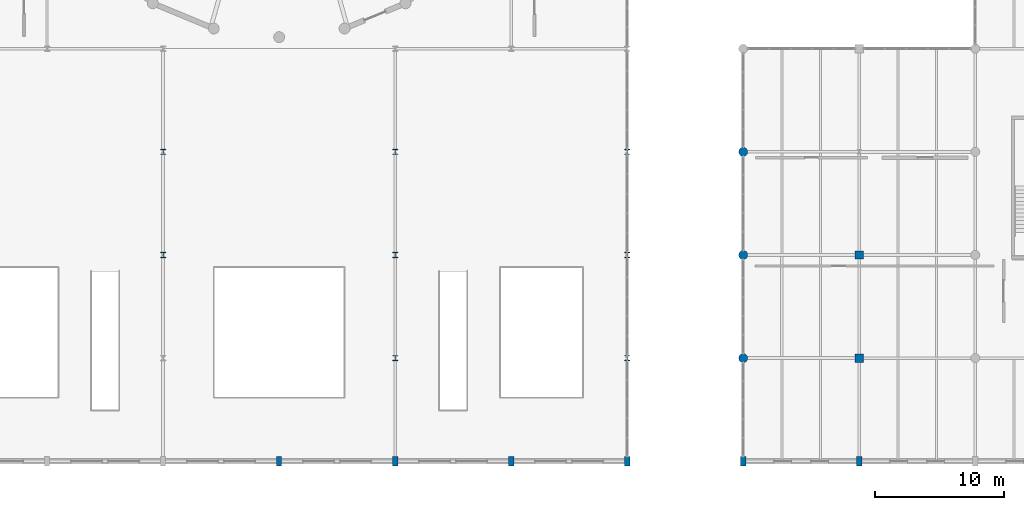
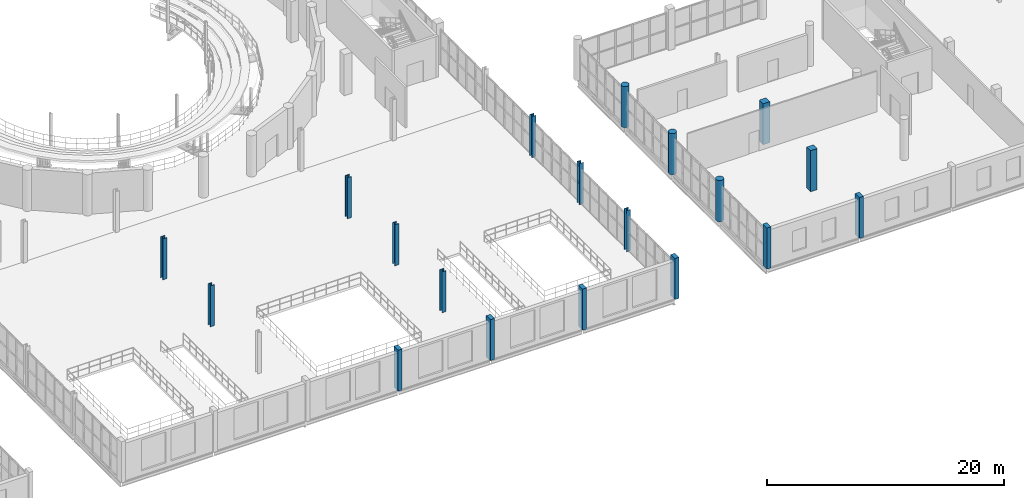
# One storey, part 5 of 85: 19 columns.
"""IFC4 building model written with IfcOpenShell, lengths in metres."""

from ifc_helpers import new_model, si_unit, direction, frame, origin, origin_2d, place, context, subcontext, project, spatial, rectangle, circle, i_section, extrude, material, material_profile, profile_set, type_object, element, save


model = new_model("IFC4")

# Units and contexts
model_context = context("Model", 3, precision=1e-05, world=origin(), true_north=direction((0.0, 1.0)))
body_context = subcontext(model_context, "Body", "Model", "MODEL_VIEW")
ifc_project = project(units=[si_unit("LENGTHUNIT", "METRE"), si_unit("AREAUNIT", "SQUARE_METRE"), si_unit("VOLUMEUNIT", "CUBIC_METRE"), si_unit("PLANEANGLEUNIT", "RADIAN"), si_unit("MASSUNIT", "GRAM", prefix="KILO")], contexts=[model_context])

# Site, building, storey
site_placement = place(None, origin())
site = spatial("IfcSite", under=ifc_project, at=site_placement, CompositionType="ELEMENT")
building_placement = place(site_placement, origin())
building = spatial("IfcBuilding", under=site, at=building_placement, Name="Marnock Terrace Opera House", CompositionType="ELEMENT")
storey_placement = place(building_placement, frame((0.0, 0.0, 10.199951171875)))
storey = spatial("IfcBuildingStorey", under=building, at=storey_placement, Name="L02", CompositionType="ELEMENT", Elevation=10.199951171875)

# Columns
ifc_material_1 = material(Name="Concrete N40 (f'c = 40 MPa)", Category="concrete")
ifc_material_profile_1 = material_profile(ifc_material_1, circle(Radius=0.35009765625, at=origin_2d()))
ifc_profile_set_1 = profile_set([ifc_material_profile_1], Name="Concrete N40 (f'c = 40 MPa)")
column_type_1 = type_object("IfcColumnType", Name="COL-LOGGIA-700", PredefinedType="COLUMN", material=ifc_profile_set_1)
for number, where, z_axis, x_axis, name in (
    (1, (118.0, 16.0, 0.0), (0.0, 0.0, 1.0), (1.0, 0.0, 0.0), "L02 column at (118.0, 16.0)"),
    (2, (118.0, 24.0, 0.0), (0.0, 0.0, 1.0), (1.0, 0.0, 0.0), "L02 column at (118.0, 24.0)"),
    (3, (118.0, 32.0, 0.0), (0.0, 0.0, 1.0), (1.0, 0.0, 0.0), "L02 column at (118.0, 32.0)"),
):
    element("IfcColumn", number, at=place(storey_placement, frame(where, z_axis=z_axis, x_axis=x_axis)), inside=storey, type_object=column_type_1, Name=name, PredefinedType="COLUMN", context=body_context, shape_type="SweptSolid", body=[
        extrude(circle(Radius=0.35009765625, at=origin_2d()), origin(), (0.0, 0.0, 1.0), 4.239990234375),
    ])
ifc_material_profile_2 = material_profile(ifc_material_1, rectangle(XDim=0.39990234375, YDim=0.699951171875, at=origin_2d()))
ifc_profile_set_2 = profile_set([ifc_material_profile_2], Name="Concrete N40 (f'c = 40 MPa)")
column_type_2 = type_object("IfcColumnType", Name="COL-PIL-700", PredefinedType="PILASTER", material=ifc_profile_set_2)
for number, where, z_axis, x_axis, name in (
    (4, (82.0, 8.0, 0.0), (0.0, 0.0, 1.0), (1.0, 0.0, 0.0), "L02 column at (82.0, 8.0)"),
    (5, (91.0, 8.0, 0.0), (0.0, 0.0, 1.0), (1.0, 0.0, 0.0), "L02 column at (91.0, 8.0)"),
    (6, (100.0, 8.0, 0.0), (0.0, 0.0, 1.0), (1.0, 0.0, 0.0), "L02 column at (100.0, 8.0)"),
    (7, (109.0, 8.0, 0.0), (0.0, 0.0, 1.0), (1.0, 0.0, 0.0), "L02 column at (109.0, 8.0)"),
    (8, (118.0, 8.0, 0.0), (0.0, 0.0, 1.0), (1.0, 0.0, 0.0), "L02 column at (118.0, 8.0)"),
    (9, (127.0, 8.0, 0.0), (0.0, 0.0, 1.0), (1.0, 0.0, 0.0), "L02 column at (127.0, 8.0)"),
):
    element("IfcColumn", number, at=place(storey_placement, frame(where, z_axis=z_axis, x_axis=x_axis)), inside=storey, type_object=column_type_2, Name=name, PredefinedType="PILASTER", context=body_context, shape_type="SweptSolid", body=[
        extrude(rectangle(XDim=0.39990234375, YDim=0.699951171875, at=origin_2d()), origin(), (0.0, 0.0, 1.0), 4.239990234375),
    ])
ifc_material_profile_3 = material_profile(ifc_material_1, rectangle(XDim=0.64990234375, YDim=0.64990234375, at=origin_2d()))
ifc_profile_set_3 = profile_set([ifc_material_profile_3], Name="Concrete N40 (f'c = 40 MPa)")
column_type_3 = type_object("IfcColumnType", Name="COL-RC650", PredefinedType="COLUMN", material=ifc_profile_set_3)
for number, where, z_axis, x_axis, name in (
    (10, (127.0, 16.0, 0.0), (0.0, 0.0, 1.0), (1.0, 0.0, 0.0), "L02 column at (127.0, 16.0)"),
    (11, (127.0, 24.0, 0.0), (0.0, 0.0, 1.0), (1.0, 0.0, 0.0), "L02 column at (127.0, 24.0)"),
):
    element("IfcColumn", number, at=place(storey_placement, frame(where, z_axis=z_axis, x_axis=x_axis)), inside=storey, type_object=column_type_3, Name=name, PredefinedType="COLUMN", context=body_context, shape_type="SweptSolid", body=[
        extrude(rectangle(XDim=0.64990234375, YDim=0.64990234375, at=origin_2d()), origin(), (0.0, 0.0, 1.0), 4.239990234375),
    ])
ifc_material_2 = material(Name="Steel Grade 350 Welded (AS/NZS 3679.2)", Category="steel")
ifc_material_profile_4 = material_profile(ifc_material_2, i_section(OverallWidth=0.39990234375, OverallDepth=0.39990234375, WebThickness=0.02001953125, FlangeThickness=0.031982421875, at=origin_2d()))
ifc_profile_set_4 = profile_set([ifc_material_profile_4], Name="Steel Grade 350 Welded (AS/NZS 3679.2)")
column_type_4 = type_object("IfcColumnType", Name="COL-WC400", PredefinedType="COLUMN", material=ifc_profile_set_4)
for number, where, z_axis, x_axis, name in (
    (12, (73.0, 24.0, 0.0), (0.0, 0.0, 1.0), (1.0, 0.0, 0.0), "L02 column at (73.0, 24.0)"),
    (13, (73.0, 32.0, 0.0), (0.0, 0.0, 1.0), (1.0, 0.0, 0.0), "L02 column at (73.0, 32.0)"),
    (14, (91.0, 16.0, 0.0), (0.0, 0.0, 1.0), (1.0, 0.0, 0.0), "L02 column at (91.0, 16.0)"),
    (15, (91.0, 24.0, 0.0), (0.0, 0.0, 1.0), (1.0, 0.0, 0.0), "L02 column at (91.0, 24.0)"),
    (16, (91.0, 32.0, 0.0), (0.0, 0.0, 1.0), (1.0, 0.0, 0.0), "L02 column at (91.0, 32.0)"),
    (17, (109.0, 16.0, 0.0), (0.0, 0.0, 1.0), (1.0, 0.0, 0.0), "L02 column at (109.0, 16.0)"),
    (18, (109.0, 24.0, 0.0), (0.0, 0.0, 1.0), (1.0, 0.0, 0.0), "L02 column at (109.0, 24.0)"),
    (19, (109.0, 32.0, 0.0), (0.0, 0.0, 1.0), (1.0, 0.0, 0.0), "L02 column at (109.0, 32.0)"),
):
    element("IfcColumn", number, at=place(storey_placement, frame(where, z_axis=z_axis, x_axis=x_axis)), inside=storey, type_object=column_type_4, Name=name, PredefinedType="COLUMN", context=body_context, shape_type="SweptSolid", body=[
        extrude(i_section(OverallWidth=0.39990234375, OverallDepth=0.39990234375, WebThickness=0.02001953125, FlangeThickness=0.031982421875, at=origin_2d()), origin(), (0.0, 0.0, 1.0), 4.239990234375),
    ])

save(model, "model.ifc")
